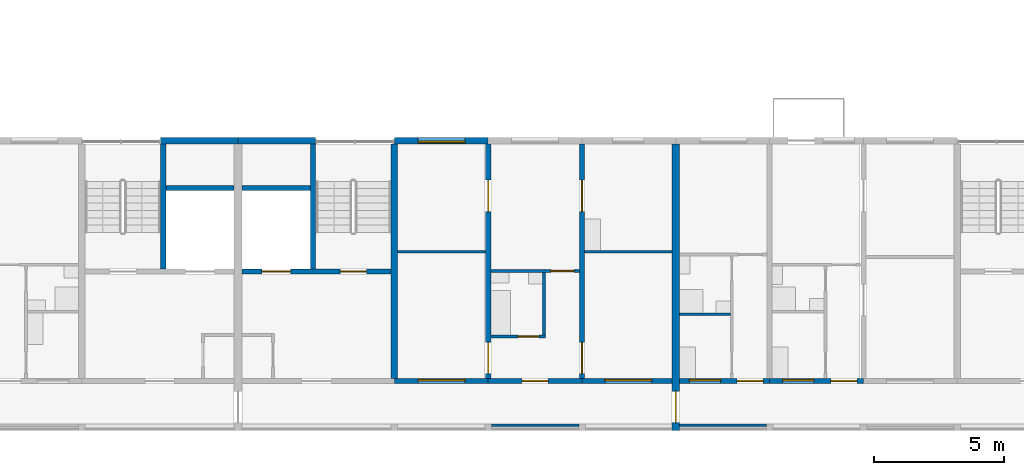
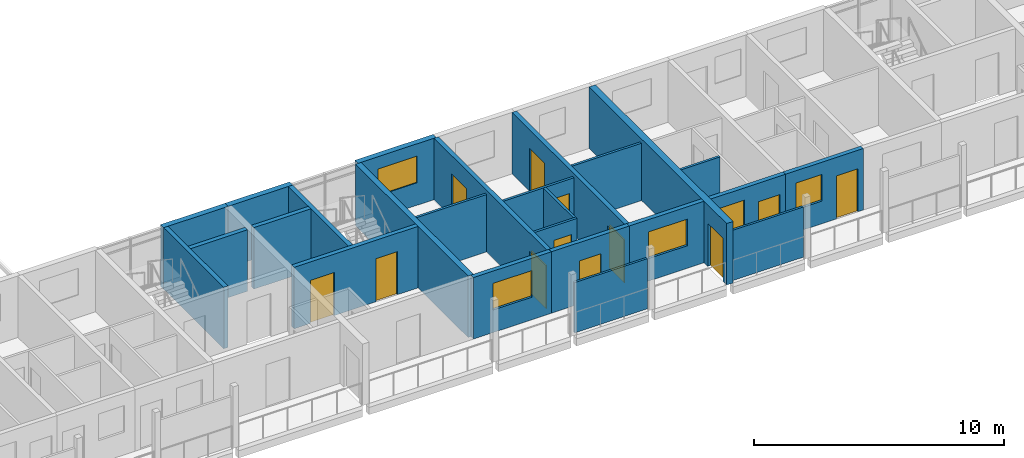
# One storey, part 46 of 93: 25 walls, 12 doors, 5 windows, 17 openings.
"""IFC4 building model written with IfcOpenShell, lengths in metres."""

from ifc_helpers import new_model, si_unit, direction, frame, frame_2d, origin, place, context, subcontext, project, spatial, rectangle, extrude, material, layer, layer_set, type_object, element, fill, save


model = new_model("IFC4")

# Units and contexts
model_context = context("Model", 3, precision=1e-05, world=origin(), true_north=direction((0.0, 1.0)))
body_context = subcontext(model_context, "Body", "Model", "MODEL_VIEW")
ifc_project = project(units=[si_unit("LENGTHUNIT", "METRE"), si_unit("AREAUNIT", "SQUARE_METRE"), si_unit("VOLUMEUNIT", "CUBIC_METRE"), si_unit("PLANEANGLEUNIT", "RADIAN"), si_unit("MASSUNIT", "GRAM", prefix="KILO")], contexts=[model_context])

# Site, building, storey
site_placement = place(None, origin())
site = spatial("IfcSite", under=ifc_project, at=site_placement, CompositionType="ELEMENT")
building_placement = place(site_placement, origin())
building = spatial("IfcBuilding", under=site, at=building_placement, Name="Ridgestep Commons", CompositionType="ELEMENT")
storey_placement = place(building_placement, frame((0.0, 0.0, 18.0)))
storey = spatial("IfcBuildingStorey", under=building, at=storey_placement, Name="L06", CompositionType="ELEMENT", Elevation=18.0)

# Walls
ifc_material_1 = material(Name="Concrete C30/37", Category="concrete")
ifc_layer_1 = layer(ifc_material_1, 0.25)
ifc_layer_set_1 = layer_set([ifc_layer_1], Name="Core cross wall 250")
wall_type_1 = type_object("IfcWallType", Name="Core cross wall 250", PredefinedType="SHEAR", material=ifc_layer_set_1)
wall_1_placement = place(storey_placement, frame((169.60009765625, 13.75, 0.0), z_axis=(0.0, 0.0, 1.0), x_axis=(0.0, 1.0, 0.0)))
element("IfcWall", 1, at=wall_1_placement, inside=storey, type_object=wall_type_1, Name="Cross wall D-06-1696", PredefinedType="SHEAR", context=body_context, shape_type="SweptSolid", body=[
    extrude(rectangle(XDim=9.0, YDim=0.25, at=frame_2d((4.5, 0.0))), origin(), (0.0, 0.0, 1.0), 3.0),
])
ifc_material_2 = material(Name="Concrete C30/37", Category="concrete")
ifc_layer_2 = layer(ifc_material_2, 0.199951171875)
ifc_layer_set_2 = layer_set([ifc_layer_2], Name="Core wall 200")
wall_type_2 = type_object("IfcWallType", Name="Core wall 200", PredefinedType="SHEAR", material=ifc_layer_set_2)
wall_2_placement = place(storey_placement, frame((160.72509765625, 17.949951171875, 0.0), z_axis=(0.0, 0.0, 1.0), x_axis=(0.0, 1.0, 0.0)))
element("IfcWall", 2, at=wall_2_placement, inside=storey, type_object=wall_type_2, Name="Core stair wall D1C L06", PredefinedType="SHEAR", context=body_context, shape_type="SweptSolid", body=[
    extrude(rectangle(XDim=4.800048828125, YDim=0.199951171875, at=frame_2d((2.39990234375, 0.0))), origin(), (0.0, 0.0, 1.0), 3.0),
])
wall_3_placement = place(storey_placement, frame((160.824951171875, 21.050048828125, 0.0), z_axis=(0.0, 0.0, 1.0), x_axis=(1.0, 0.0, 0.0)))
element("IfcWall", 3, at=wall_3_placement, inside=storey, type_object=wall_type_2, Name="Core duct wall D1C L06", PredefinedType="SHEAR", context=body_context, shape_type="SweptSolid", body=[
    extrude(rectangle(XDim=2.625, YDim=0.199951171875, at=frame_2d((1.3125, 0.0))), origin(), (0.0, 0.0, 1.0), 3.0),
])

# Wall, openings, doors
wall_4_placement = place(storey_placement, frame((163.75, 17.85009765625, 0.0), z_axis=(0.0, 0.0, 1.0), x_axis=(1.0, 0.0, 0.0)))
wall_4 = element("IfcWall", 4, at=wall_4_placement, inside=storey, type_object=wall_type_2, Name="Core lobby wall D2C L06", PredefinedType="SHEAR", context=body_context, shape_type="SweptSolid", body=[
    extrude(rectangle(XDim=5.72509765625, YDim=0.199951171875, at=frame_2d((2.862548828125, 0.0))), origin(), (0.0, 0.0, 1.0), 3.0),
])
opening_1_placement = place(wall_4_placement, frame((3.77490234375, 0.0, 0.0)))
opening_1 = element("IfcOpeningElement", 5, at=opening_1_placement, cuts=wall_4, Name="Opening D2C/06/2", PredefinedType="OPENING", context=body_context, shape_type="SweptSolid", body=[
    extrude(rectangle(XDim=1.0, YDim=2.10009765625, at=frame_2d((0.5, 1.050048828125))), frame((0.0, 0.10986328125, 0.0), z_axis=(0.0, -1.0, 0.0), x_axis=(1.0, 0.0, 0.0)), (0.0, 0.0, 1.0), 0.219970703125),
])
opening_2_placement = place(wall_4_placement, frame((0.762451171875, 0.0, 0.0)))
opening_2 = element("IfcOpeningElement", 6, at=opening_2_placement, cuts=wall_4, Name="Opening D2C/06/3", PredefinedType="OPENING", context=body_context, shape_type="SweptSolid", body=[
    extrude(rectangle(XDim=1.10009765625, YDim=2.10009765625, at=frame_2d((0.550048828125, 1.050048828125))), frame((0.0, 0.10986328125, 0.0), z_axis=(0.0, -1.0, 0.0), x_axis=(1.0, 0.0, 0.0)), (0.0, 0.0, 1.0), 0.219970703125),
])
ifc_material_3 = material(Name="Stainless steel", Category="steel")
door_type_1 = type_object("IfcDoorType", Name="Lift landing door 1100 x 2100 FD60", OperationType="DOUBLE_DOOR_SLIDING", PredefinedType="DOOR", material=ifc_material_3)
door_1_placement = place(opening_2_placement, origin())
door_1 = element("IfcDoor", 7, at=door_1_placement, inside=storey, type_object=door_type_1, Name="Landing door LD D2C L06", OperationType="DOUBLE_DOOR_SLIDING", OverallHeight=2.10009765625, OverallWidth=1.10009765625, PredefinedType="DOOR", context=body_context, shape_type="SweptSolid", body=[
    extrude(rectangle(XDim=1.10009765625, YDim=2.10009765625, at=frame_2d((0.550048828125, 1.050048828125))), frame((0.0, 0.02490234375, 0.0), z_axis=(0.0, -1.0, 0.0), x_axis=(1.0, 0.0, 0.0)), (0.0, 0.0, 1.0), 0.050048828125),
])
fill(opening_2, door_1)
ifc_material_4 = material(Name="Steel fire door", Category="steel")
door_type_2 = type_object("IfcDoorType", Name="Stair door 1000 x 2100 FD60", OperationType="NOTDEFINED", PredefinedType="DOOR", material=ifc_material_4)
door_2_placement = place(opening_1_placement, origin())
door_2 = element("IfcDoor", 8, at=door_2_placement, inside=storey, type_object=door_type_2, Name="Stair door D2C/06/2", OperationType="SINGLE_SWING_RIGHT", OverallHeight=2.10009765625, OverallWidth=1.0, PredefinedType="DOOR", context=body_context, shape_type="SweptSolid", body=[
    extrude(rectangle(XDim=1.0, YDim=2.10009765625, at=frame_2d((0.5, 1.050048828125))), frame((0.0, 0.02490234375, 0.0), z_axis=(0.0, -1.0, 0.0), x_axis=(1.0, 0.0, 0.0)), (0.0, 0.0, 1.0), 0.050048828125),
])
fill(opening_1, door_2)

# Walls
wall_5_placement = place(storey_placement, frame((166.47509765625, 17.949951171875, 0.0), z_axis=(0.0, 0.0, 1.0), x_axis=(0.0, 1.0, 0.0)))
element("IfcWall", 9, at=wall_5_placement, inside=storey, type_object=wall_type_2, Name="Core stair wall D2C L06", PredefinedType="SHEAR", context=body_context, shape_type="SweptSolid", body=[
    extrude(rectangle(XDim=4.800048828125, YDim=0.199951171875, at=frame_2d((2.39990234375, 0.0))), origin(), (0.0, 0.0, 1.0), 3.0),
])
wall_6_placement = place(storey_placement, frame((163.75, 21.050048828125, 0.0), z_axis=(0.0, 0.0, 1.0), x_axis=(1.0, 0.0, 0.0)))
element("IfcWall", 10, at=wall_6_placement, inside=storey, type_object=wall_type_2, Name="Core duct wall D2C L06", PredefinedType="SHEAR", context=body_context, shape_type="SweptSolid", body=[
    extrude(rectangle(XDim=2.625, YDim=0.199951171875, at=frame_2d((1.3125, 0.0))), origin(), (0.0, 0.0, 1.0), 3.0),
])

# Wall, openings, doors
ifc_material_5 = material(Name="Precast concrete C40/50", Category="concrete")
ifc_layer_3 = layer(ifc_material_5, 0.199951171875)
ifc_layer_set_3 = layer_set([ifc_layer_3], Name="Cross wall 200")
wall_type_3 = type_object("IfcWallType", Name="Cross wall 200", PredefinedType="SHEAR", material=ifc_layer_set_3)
wall_7_placement = place(storey_placement, frame((173.199951171875, 13.75, 0.0), z_axis=(0.0, 0.0, 1.0), x_axis=(0.0, 1.0, 0.0)))
wall_7 = element("IfcWall", 11, at=wall_7_placement, inside=storey, type_object=wall_type_3, Name="Cross wall D-06-1732", PredefinedType="SHEAR", context=body_context, shape_type="SweptSolid", body=[
    extrude(rectangle(XDim=9.0, YDim=0.199951171875, at=frame_2d((4.5, 0.0))), origin(), (0.0, 0.0, 1.0), 3.0),
])
opening_3_placement = place(wall_7_placement, frame((0.175048828125, 0.0, 0.0)))
opening_3 = element("IfcOpeningElement", 12, at=opening_3_placement, cuts=wall_7, Name="Opening D2-06a/4", PredefinedType="OPENING", context=body_context, shape_type="SweptSolid", body=[
    extrude(rectangle(XDim=1.199951171875, YDim=2.10009765625, at=frame_2d((0.60009765625, 1.050048828125))), frame((0.0, 0.10986328125, 0.0), z_axis=(0.0, -1.0, 0.0), x_axis=(1.0, 0.0, 0.0)), (0.0, 0.0, 1.0), 0.219970703125),
])
opening_4_placement = place(wall_7_placement, frame((6.39990234375, 0.0, 0.0)))
opening_4 = element("IfcOpeningElement", 13, at=opening_4_placement, cuts=wall_7, Name="Opening D2-06a/5", PredefinedType="OPENING", context=body_context, shape_type="SweptSolid", body=[
    extrude(rectangle(XDim=1.199951171875, YDim=2.10009765625, at=frame_2d((0.60009765625, 1.050048828125))), frame((0.0, 0.10986328125, 0.0), z_axis=(0.0, -1.0, 0.0), x_axis=(1.0, 0.0, 0.0)), (0.0, 0.0, 1.0), 0.219970703125),
])
ifc_material_6 = material(Name="Timber door leaf", Category="wood")
door_type_3 = type_object("IfcDoorType", Name="Double door 1200 x 2100", OperationType="DOUBLE_DOOR_SINGLE_SWING", PredefinedType="DOOR", material=ifc_material_6)
door_3_placement = place(opening_3_placement, origin())
door_3 = element("IfcDoor", 14, at=door_3_placement, inside=storey, type_object=door_type_3, Name="Double door D2-06a/4", OperationType="DOUBLE_DOOR_SINGLE_SWING", OverallHeight=2.10009765625, OverallWidth=1.199951171875, PredefinedType="DOOR", context=body_context, shape_type="SweptSolid", body=[
    extrude(rectangle(XDim=1.199951171875, YDim=2.10009765625, at=frame_2d((0.60009765625, 1.050048828125))), frame((0.0, 0.02490234375, 0.0), z_axis=(0.0, -1.0, 0.0), x_axis=(1.0, 0.0, 0.0)), (0.0, 0.0, 1.0), 0.050048828125),
])
fill(opening_3, door_3)
door_4_placement = place(opening_4_placement, origin())
door_4 = element("IfcDoor", 15, at=door_4_placement, inside=storey, type_object=door_type_3, Name="Double door D2-06a/5", OperationType="DOUBLE_DOOR_SINGLE_SWING", OverallHeight=2.10009765625, OverallWidth=1.199951171875, PredefinedType="DOOR", context=body_context, shape_type="SweptSolid", body=[
    extrude(rectangle(XDim=1.199951171875, YDim=2.10009765625, at=frame_2d((0.60009765625, 1.050048828125))), frame((0.0, 0.02490234375, 0.0), z_axis=(0.0, -1.0, 0.0), x_axis=(1.0, 0.0, 0.0)), (0.0, 0.0, 1.0), 0.050048828125),
])
fill(opening_4, door_4)

wall_8_placement = place(storey_placement, frame((176.800048828125, 13.75, 0.0), z_axis=(0.0, 0.0, 1.0), x_axis=(0.0, 1.0, 0.0)))
wall_8 = element("IfcWall", 16, at=wall_8_placement, inside=storey, type_object=wall_type_3, Name="Cross wall D-06-1768", PredefinedType="SHEAR", context=body_context, shape_type="SweptSolid", body=[
    extrude(rectangle(XDim=9.0, YDim=0.199951171875, at=frame_2d((4.5, 0.0))), origin(), (0.0, 0.0, 1.0), 3.0),
])
opening_5_placement = place(wall_8_placement, frame((0.175048828125, 0.0, 0.0)))
opening_5 = element("IfcOpeningElement", 17, at=opening_5_placement, cuts=wall_8, Name="Opening D2-06a/6", PredefinedType="OPENING", context=body_context, shape_type="SweptSolid", body=[
    extrude(rectangle(XDim=1.199951171875, YDim=2.10009765625, at=frame_2d((0.60009765625, 1.050048828125))), frame((0.0, 0.10986328125, 0.0), z_axis=(0.0, -1.0, 0.0), x_axis=(1.0, 0.0, 0.0)), (0.0, 0.0, 1.0), 0.219970703125),
])
opening_6_placement = place(wall_8_placement, frame((6.39990234375, 0.0, 0.0)))
opening_6 = element("IfcOpeningElement", 18, at=opening_6_placement, cuts=wall_8, Name="Opening D2-06a/7", PredefinedType="OPENING", context=body_context, shape_type="SweptSolid", body=[
    extrude(rectangle(XDim=1.199951171875, YDim=2.10009765625, at=frame_2d((0.60009765625, 1.050048828125))), frame((0.0, 0.10986328125, 0.0), z_axis=(0.0, -1.0, 0.0), x_axis=(1.0, 0.0, 0.0)), (0.0, 0.0, 1.0), 0.219970703125),
])
door_5_placement = place(opening_5_placement, origin())
door_5 = element("IfcDoor", 19, at=door_5_placement, inside=storey, type_object=door_type_3, Name="Double door D2-06a/6", OperationType="DOUBLE_DOOR_SINGLE_SWING", OverallHeight=2.10009765625, OverallWidth=1.199951171875, PredefinedType="DOOR", context=body_context, shape_type="SweptSolid", body=[
    extrude(rectangle(XDim=1.199951171875, YDim=2.10009765625, at=frame_2d((0.60009765625, 1.050048828125))), frame((0.0, 0.02490234375, 0.0), z_axis=(0.0, -1.0, 0.0), x_axis=(1.0, 0.0, 0.0)), (0.0, 0.0, 1.0), 0.050048828125),
])
fill(opening_5, door_5)
door_6_placement = place(opening_6_placement, origin())
door_6 = element("IfcDoor", 20, at=door_6_placement, inside=storey, type_object=door_type_3, Name="Double door D2-06a/7", OperationType="DOUBLE_DOOR_SINGLE_SWING", OverallHeight=2.10009765625, OverallWidth=1.199951171875, PredefinedType="DOOR", context=body_context, shape_type="SweptSolid", body=[
    extrude(rectangle(XDim=1.199951171875, YDim=2.10009765625, at=frame_2d((0.60009765625, 1.050048828125))), frame((0.0, 0.02490234375, 0.0), z_axis=(0.0, -1.0, 0.0), x_axis=(1.0, 0.0, 0.0)), (0.0, 0.0, 1.0), 0.050048828125),
])
fill(opening_6, door_6)

# Wall, opening, door
ifc_material_7 = material(Name="Precast concrete C40/50", Category="concrete")
ifc_layer_4 = layer(ifc_material_7, 0.300048828125)
ifc_layer_set_4 = layer_set([ifc_layer_4], Name="Division wall 300")
wall_type_4 = type_object("IfcWallType", Name="Division wall 300", PredefinedType="SHEAR", material=ifc_layer_set_4)
wall_9_placement = place(storey_placement, frame((180.39990234375, 11.75, 0.0), z_axis=(0.0, 0.0, 1.0), x_axis=(0.0, 1.0, 0.0)))
wall_9 = element("IfcWall", 21, at=wall_9_placement, inside=storey, type_object=wall_type_4, Name="Cross wall D-06-1804", PredefinedType="SHEAR", context=body_context, shape_type="SweptSolid", body=[
    extrude(rectangle(XDim=11.0, YDim=0.300048828125, at=frame_2d((5.5, 0.0))), origin(), (0.0, 0.0, 1.0), 3.0),
])
opening_7_placement = place(wall_9_placement, frame((0.300048828125, 0.0, 0.0)))
opening_7 = element("IfcOpeningElement", 22, at=opening_7_placement, cuts=wall_9, Name="Opening D/06/G1804", PredefinedType="OPENING", context=body_context, shape_type="SweptSolid", body=[
    extrude(rectangle(XDim=1.199951171875, YDim=2.10009765625, at=frame_2d((0.60009765625, 1.050048828125))), frame((0.0, 0.159912109375, 0.0), z_axis=(0.0, -1.0, 0.0), x_axis=(1.0, 0.0, 0.0)), (0.0, 0.0, 1.0), 0.320068359375),
])
ifc_material_8 = material(Name="Steel fire door", Category="steel")
door_type_4 = type_object("IfcDoorType", Name="Division fire door 1200 x 2100 EI 240", OperationType="DOUBLE_DOOR_SINGLE_SWING", PredefinedType="DOOR", material=ifc_material_8)
door_7_placement = place(opening_7_placement, origin())
door_7 = element("IfcDoor", 23, at=door_7_placement, inside=storey, type_object=door_type_4, Name="Division fire door D/06/G1804", OperationType="DOUBLE_DOOR_SINGLE_SWING", OverallHeight=2.10009765625, OverallWidth=1.199951171875, PredefinedType="DOOR", context=body_context, shape_type="SweptSolid", body=[
    extrude(rectangle(XDim=1.199951171875, YDim=2.10009765625, at=frame_2d((0.60009765625, 1.050048828125))), frame((0.0, 0.02490234375, 0.0), z_axis=(0.0, -1.0, 0.0), x_axis=(1.0, 0.0, 0.0)), (0.0, 0.0, 1.0), 0.050048828125),
])
fill(opening_7, door_7)

# Walls
ifc_material_9 = material(Name="Precast concrete C40/50", Category="concrete")
ifc_layer_5 = layer(ifc_material_9, 0.25)
ifc_layer_set_5 = layer_set([ifc_layer_5], Name="North facade panel 250")
wall_type_5 = type_object("IfcWallType", Name="North facade panel 250", PredefinedType="SOLIDWALL", material=ifc_layer_set_5)
wall_10_placement = place(storey_placement, frame((160.625, 22.875, 0.0), z_axis=(0.0, 0.0, 1.0), x_axis=(1.0, 0.0, 0.0)))
element("IfcWall", 24, at=wall_10_placement, inside=storey, type_object=wall_type_5, Name="North panel D1C L06", PredefinedType="SOLIDWALL", context=body_context, shape_type="SweptSolid", body=[
    extrude(rectangle(XDim=2.97509765625, YDim=0.25, at=frame_2d((1.487548828125, 0.0))), origin(), (0.0, 0.0, 1.0), 3.0),
])
wall_11_placement = place(storey_placement, frame((163.60009765625, 22.875, 0.0), z_axis=(0.0, 0.0, 1.0), x_axis=(1.0, 0.0, 0.0)))
element("IfcWall", 25, at=wall_11_placement, inside=storey, type_object=wall_type_5, Name="North panel D2C L06", PredefinedType="SOLIDWALL", context=body_context, shape_type="SweptSolid", body=[
    extrude(rectangle(XDim=2.974853515625, YDim=0.25, at=frame_2d((1.4873046875, 0.0))), origin(), (0.0, 0.0, 1.0), 3.0),
])

# Wall, opening, window
wall_12_placement = place(storey_placement, frame((169.60009765625, 22.875, 0.0), z_axis=(0.0, 0.0, 1.0), x_axis=(1.0, 0.0, 0.0)))
wall_12 = element("IfcWall", 26, at=wall_12_placement, inside=storey, type_object=wall_type_5, Name="North panel D2T3 L06", PredefinedType="SOLIDWALL", context=body_context, shape_type="SweptSolid", body=[
    extrude(rectangle(XDim=3.599853515625, YDim=0.25, at=frame_2d((1.7998046875, 0.0))), origin(), (0.0, 0.0, 1.0), 3.0),
])
opening_8_placement = place(wall_12_placement, frame((0.91259765625, 0.0, 1.10009765625)))
opening_8 = element("IfcOpeningElement", 27, at=opening_8_placement, cuts=wall_12, Name="Opening W18", PredefinedType="OPENING", context=body_context, shape_type="SweptSolid", body=[
    extrude(rectangle(XDim=1.800048828125, YDim=1.300048828125, at=frame_2d((0.89990234375, 0.64990234375))), frame((0.0, 0.135009765625, 0.0), z_axis=(0.0, -1.0, 0.0), x_axis=(1.0, 0.0, 0.0)), (0.0, 0.0, 1.0), 0.27001953125),
])
ifc_material_10 = material(Name="Aluminium 6063-T6 and glass", Category="aluminium")
window_type_1 = type_object("IfcWindowType", Name="Flat window 1800 x 1300", PartitioningType="DOUBLE_PANEL_VERTICAL", PredefinedType="WINDOW", material=ifc_material_10)
window_1_placement = place(opening_8_placement, origin())
window_1 = element("IfcWindow", 28, at=window_1_placement, inside=storey, type_object=window_type_1, Name="Window D2-06a 2", OverallHeight=1.300048828125, OverallWidth=1.800048828125, PartitioningType="SINGLE_PANEL", PredefinedType="WINDOW", context=body_context, shape_type="SweptSolid", body=[
    extrude(rectangle(XDim=1.800048828125, YDim=1.300048828125, at=frame_2d((0.89990234375, 0.64990234375))), frame((0.0, -0.02490234375, 0.0), z_axis=(0.0, -1.0, 0.0), x_axis=(1.0, 0.0, 0.0)), (0.0, 0.0, 1.0), 0.06005859375),
])
fill(opening_8, window_1)

# Wall, opening, door
ifc_material_11 = material(Name="Common brick 110 mm", Category="masonry")
ifc_layer_6 = layer(ifc_material_11, 0.110107421875)
ifc_layer_set_6 = layer_set([ifc_layer_6], Name="Partition 110")
wall_type_6 = type_object("IfcWallType", Name="Partition 110", PredefinedType="PARTITIONING", material=ifc_layer_set_6)
wall_13_placement = place(storey_placement, frame((173.300048828125, 15.35498046875, 0.0), z_axis=(0.0, 0.0, 1.0), x_axis=(1.0, 0.0, 0.0)))
wall_13 = element("IfcWall", 29, at=wall_13_placement, inside=storey, type_object=wall_type_6, Name="Partition D2-06a", PredefinedType="PARTITIONING", context=body_context, shape_type="SweptSolid", body=[
    extrude(rectangle(XDim=2.099853515625, YDim=0.110107421875, at=frame_2d((1.0498046875, 0.0))), origin(), (0.0, 0.0, 1.0), 2.800048828125),
])
opening_9_placement = place(wall_13_placement, frame((1.0400390625, 0.0, 0.0)))
opening_9 = element("IfcOpeningElement", 30, at=opening_9_placement, cuts=wall_13, Name="Opening D2-06a/2", PredefinedType="OPENING", context=body_context, shape_type="SweptSolid", body=[
    extrude(rectangle(XDim=0.800048828125, YDim=2.10009765625, at=frame_2d((0.39990234375, 1.050048828125))), frame((0.0, 0.06494140625, 0.0), z_axis=(0.0, -1.0, 0.0), x_axis=(1.0, 0.0, 0.0)), (0.0, 0.0, 1.0), 0.130126953125),
])
ifc_material_12 = material(Name="Timber door leaf", Category="wood")
door_type_5 = type_object("IfcDoorType", Name="Internal door 800 x 2100", OperationType="NOTDEFINED", PredefinedType="DOOR", material=ifc_material_12)
door_8_placement = place(opening_9_placement, origin())
door_8 = element("IfcDoor", 31, at=door_8_placement, inside=storey, type_object=door_type_5, Name="Internal door D2-06a/2", OperationType="SINGLE_SWING_RIGHT", OverallHeight=2.10009765625, OverallWidth=0.800048828125, PredefinedType="DOOR", context=body_context, shape_type="SweptSolid", body=[
    extrude(rectangle(XDim=0.800048828125, YDim=2.10009765625, at=frame_2d((0.39990234375, 1.050048828125))), frame((0.0, 0.02490234375, 0.0), z_axis=(0.0, -1.0, 0.0), x_axis=(1.0, 0.0, 0.0)), (0.0, 0.0, 1.0), 0.050048828125),
])
fill(opening_9, door_8)

# Wall
wall_14_placement = place(storey_placement, frame((175.344970703125, 15.409912109375, 0.0), z_axis=(0.0, 0.0, 1.0), x_axis=(0.0, 1.0, 0.0)))
element("IfcWall", 32, at=wall_14_placement, inside=storey, type_object=wall_type_6, Name="Partition D2-06a", PredefinedType="PARTITIONING", context=body_context, shape_type="SweptSolid", body=[
    extrude(rectangle(XDim=2.400146484375, YDim=0.110107421875, at=frame_2d((1.2001953125, 0.0))), origin(), (0.0, 0.0, 1.0), 2.800048828125),
])

# Wall, opening, door
wall_15_placement = place(storey_placement, frame((173.300048828125, 17.864990234375, 0.0), z_axis=(0.0, 0.0, 1.0), x_axis=(1.0, 0.0, 0.0)))
wall_15 = element("IfcWall", 33, at=wall_15_placement, inside=storey, type_object=wall_type_6, Name="Partition D2-06a", PredefinedType="PARTITIONING", context=body_context, shape_type="SweptSolid", body=[
    extrude(rectangle(XDim=3.39990234375, YDim=0.110107421875, at=frame_2d((1.699951171875, 0.0))), origin(), (0.0, 0.0, 1.0), 2.800048828125),
])
opening_10_placement = place(wall_15_placement, frame((2.300048828125, 0.0, 0.0)))
opening_10 = element("IfcOpeningElement", 34, at=opening_10_placement, cuts=wall_15, Name="Opening D2-06a/3", PredefinedType="OPENING", context=body_context, shape_type="SweptSolid", body=[
    extrude(rectangle(XDim=0.89990234375, YDim=2.10009765625, at=frame_2d((0.449951171875, 1.050048828125))), frame((0.0, 0.06494140625, 0.0), z_axis=(0.0, -1.0, 0.0), x_axis=(1.0, 0.0, 0.0)), (0.0, 0.0, 1.0), 0.130126953125),
])
ifc_material_13 = material(Name="Timber door leaf", Category="wood")
door_type_6 = type_object("IfcDoorType", Name="Internal door 900 x 2100", OperationType="NOTDEFINED", PredefinedType="DOOR", material=ifc_material_13)
door_9_placement = place(opening_10_placement, origin())
door_9 = element("IfcDoor", 35, at=door_9_placement, inside=storey, type_object=door_type_6, Name="Internal door D2-06a/3", OperationType="SINGLE_SWING_LEFT", OverallHeight=2.10009765625, OverallWidth=0.89990234375, PredefinedType="DOOR", context=body_context, shape_type="SweptSolid", body=[
    extrude(rectangle(XDim=0.89990234375, YDim=2.10009765625, at=frame_2d((0.449951171875, 1.050048828125))), frame((0.0, 0.02490234375, 0.0), z_axis=(0.0, -1.0, 0.0), x_axis=(1.0, 0.0, 0.0)), (0.0, 0.0, 1.0), 0.050048828125),
])
fill(opening_10, door_9)

# Walls
wall_16_placement = place(storey_placement, frame((169.72509765625, 18.60498046875, 0.0), z_axis=(0.0, 0.0, 1.0), x_axis=(1.0, 0.0, 0.0)))
element("IfcWall", 36, at=wall_16_placement, inside=storey, type_object=wall_type_6, Name="Partition D2-06a", PredefinedType="PARTITIONING", context=body_context, shape_type="SweptSolid", body=[
    extrude(rectangle(XDim=3.375, YDim=0.110107421875, at=frame_2d((1.6875, 0.0))), origin(), (0.0, 0.0, 1.0), 2.800048828125),
])
wall_17_placement = place(storey_placement, frame((176.89990234375, 18.60498046875, 0.0), z_axis=(0.0, 0.0, 1.0), x_axis=(1.0, 0.0, 0.0)))
element("IfcWall", 37, at=wall_17_placement, inside=storey, type_object=wall_type_6, Name="Partition D2-06a", PredefinedType="PARTITIONING", context=body_context, shape_type="SweptSolid", body=[
    extrude(rectangle(XDim=3.35009765625, YDim=0.110107421875, at=frame_2d((1.675048828125, 0.0))), origin(), (0.0, 0.0, 1.0), 2.800048828125),
])
wall_18_placement = place(storey_placement, frame((180.550048828125, 16.205078125, 0.0), z_axis=(0.0, 0.0, 1.0), x_axis=(1.0, 0.0, 0.0)))
element("IfcWall", 38, at=wall_18_placement, inside=storey, type_object=wall_type_6, Name="Partition D3-06a", PredefinedType="PARTITIONING", context=body_context, shape_type="SweptSolid", body=[
    extrude(rectangle(XDim=1.93994140625, YDim=0.110107421875, at=frame_2d((0.969970703125, 0.0))), origin(), (0.0, 0.0, 1.0), 2.800048828125),
])
ifc_material_14 = material(Name="Precast concrete C30/37", Category="concrete")
ifc_layer_7 = layer(ifc_material_14, 0.10009765625)
ifc_layer_set_7 = layer_set([ifc_layer_7], Name="Perforated gallery screen 3325 x 2450 x 100")
wall_type_7 = type_object("IfcWallType", Name="Perforated gallery screen 3325 x 2450 x 100", PredefinedType="SOLIDWALL", material=ifc_layer_set_7)
wall_19_placement = place(storey_placement, frame((180.550048828125, 11.949951171875, 0.0), z_axis=(0.0, 0.0, 1.0), x_axis=(1.0, 0.0, 0.0)))
element("IfcWall", 39, at=wall_19_placement, inside=storey, type_object=wall_type_7, Name="Gallery screen D3T1 06", PredefinedType="SOLIDWALL", context=body_context, shape_type="SweptSolid", body=[
    extrude(rectangle(XDim=3.324951171875, YDim=0.10009765625, at=frame_2d((1.66259765625, 0.0))), origin(), (0.0, 0.0, 1.0), 2.449951171875),
])
ifc_material_15 = material(Name="Precast concrete C30/37", Category="concrete")
ifc_layer_8 = layer(ifc_material_15, 0.10009765625)
ifc_layer_set_8 = layer_set([ifc_layer_8], Name="Perforated gallery screen 3350 x 2450 x 100")
wall_type_8 = type_object("IfcWallType", Name="Perforated gallery screen 3350 x 2450 x 100", PredefinedType="SOLIDWALL", material=ifc_layer_set_8)
wall_20_placement = place(storey_placement, frame((173.324951171875, 11.949951171875, 0.0), z_axis=(0.0, 0.0, 1.0), x_axis=(1.0, 0.0, 0.0)))
element("IfcWall", 40, at=wall_20_placement, inside=storey, type_object=wall_type_8, Name="Gallery screen D2T2 06", PredefinedType="SOLIDWALL", context=body_context, shape_type="SweptSolid", body=[
    extrude(rectangle(XDim=3.35009765625, YDim=0.10009765625, at=frame_2d((1.675048828125, 0.0))), origin(), (0.0, 0.0, 1.0), 2.449951171875),
])

# Wall, opening, window
ifc_material_16 = material(Name="Precast concrete C40/50", Category="concrete")
ifc_layer_9 = layer(ifc_material_16, 0.199951171875)
ifc_layer_set_9 = layer_set([ifc_layer_9], Name="South facade panel 200")
wall_type_9 = type_object("IfcWallType", Name="South facade panel 200", PredefinedType="SOLIDWALL", material=ifc_layer_set_9)
wall_21_placement = place(storey_placement, frame((169.60009765625, 13.64990234375, 0.0), z_axis=(0.0, 0.0, 1.0), x_axis=(1.0, 0.0, 0.0)))
wall_21 = element("IfcWall", 41, at=wall_21_placement, inside=storey, type_object=wall_type_9, Name="South panel D2T3 L06", PredefinedType="SOLIDWALL", context=body_context, shape_type="SweptSolid", body=[
    extrude(rectangle(XDim=3.599853515625, YDim=0.199951171875, at=frame_2d((1.7998046875, 0.0))), origin(), (0.0, 0.0, 1.0), 3.0),
])
opening_11_placement = place(wall_21_placement, frame((0.91259765625, 0.0, 1.10009765625)))
opening_11 = element("IfcOpeningElement", 42, at=opening_11_placement, cuts=wall_21, Name="Opening W18", PredefinedType="OPENING", context=body_context, shape_type="SweptSolid", body=[
    extrude(rectangle(XDim=1.800048828125, YDim=1.300048828125, at=frame_2d((0.89990234375, 0.64990234375))), frame((0.0, 0.10986328125, 0.0), z_axis=(0.0, -1.0, 0.0), x_axis=(1.0, 0.0, 0.0)), (0.0, 0.0, 1.0), 0.219970703125),
])
window_2_placement = place(opening_11_placement, origin())
window_2 = element("IfcWindow", 43, at=window_2_placement, inside=storey, type_object=window_type_1, Name="Window D2-06a 1", OverallHeight=1.300048828125, OverallWidth=1.800048828125, PartitioningType="SINGLE_PANEL", PredefinedType="WINDOW", context=body_context, shape_type="SweptSolid", body=[
    extrude(rectangle(XDim=1.800048828125, YDim=1.300048828125, at=frame_2d((0.89990234375, 0.64990234375))), frame((0.0, 0.06005859375, 0.0), z_axis=(0.0, -1.0, 0.0), x_axis=(1.0, 0.0, 0.0)), (0.0, 0.0, 1.0), 0.06005859375),
])
fill(opening_11, window_2)

# Wall, opening, door
wall_22_placement = place(storey_placement, frame((173.199951171875, 13.64990234375, 0.0), z_axis=(0.0, 0.0, 1.0), x_axis=(1.0, 0.0, 0.0)))
wall_22 = element("IfcWall", 44, at=wall_22_placement, inside=storey, type_object=wall_type_9, Name="South panel D2T2 L06", PredefinedType="SOLIDWALL", context=body_context, shape_type="SweptSolid", body=[
    extrude(rectangle(XDim=3.60009765625, YDim=0.199951171875, at=frame_2d((1.800048828125, 0.0))), origin(), (0.0, 0.0, 1.0), 3.0),
])
opening_12_placement = place(wall_22_placement, frame((1.300048828125, 0.0, 0.0)))
opening_12 = element("IfcOpeningElement", 45, at=opening_12_placement, cuts=wall_22, Name="Opening D2-06a/1", PredefinedType="OPENING", context=body_context, shape_type="SweptSolid", body=[
    extrude(rectangle(XDim=1.0, YDim=2.10009765625, at=frame_2d((0.5, 1.050048828125))), frame((0.0, 0.10986328125, 0.0), z_axis=(0.0, -1.0, 0.0), x_axis=(1.0, 0.0, 0.0)), (0.0, 0.0, 1.0), 0.219970703125),
])
ifc_material_17 = material(Name="Timber door leaf", Category="wood")
door_type_7 = type_object("IfcDoorType", Name="Flat entrance door 1000 x 2100 FD30S", OperationType="NOTDEFINED", PredefinedType="DOOR", material=ifc_material_17)
door_10_placement = place(opening_12_placement, origin())
door_10 = element("IfcDoor", 46, at=door_10_placement, inside=storey, type_object=door_type_7, Name="Flat entrance door D2-06a/1", OperationType="SINGLE_SWING_RIGHT", OverallHeight=2.10009765625, OverallWidth=1.0, PredefinedType="DOOR", context=body_context, shape_type="SweptSolid", body=[
    extrude(rectangle(XDim=1.0, YDim=2.10009765625, at=frame_2d((0.5, 1.050048828125))), frame((0.0, 0.02490234375, 0.0), z_axis=(0.0, -1.0, 0.0), x_axis=(1.0, 0.0, 0.0)), (0.0, 0.0, 1.0), 0.050048828125),
])
fill(opening_12, door_10)

# Wall, opening, window
wall_23_placement = place(storey_placement, frame((176.800048828125, 13.64990234375, 0.0), z_axis=(0.0, 0.0, 1.0), x_axis=(1.0, 0.0, 0.0)))
wall_23 = element("IfcWall", 47, at=wall_23_placement, inside=storey, type_object=wall_type_9, Name="South panel D2T1 L06", PredefinedType="SOLIDWALL", context=body_context, shape_type="SweptSolid", body=[
    extrude(rectangle(XDim=3.449951171875, YDim=0.199951171875, at=frame_2d((1.72509765625, 0.0))), origin(), (0.0, 0.0, 1.0), 3.0),
])
opening_13_placement = place(wall_23_placement, frame((0.875, 0.0, 1.10009765625)))
opening_13 = element("IfcOpeningElement", 48, at=opening_13_placement, cuts=wall_23, Name="Opening W18", PredefinedType="OPENING", context=body_context, shape_type="SweptSolid", body=[
    extrude(rectangle(XDim=1.800048828125, YDim=1.300048828125, at=frame_2d((0.89990234375, 0.64990234375))), frame((0.0, 0.10986328125, 0.0), z_axis=(0.0, -1.0, 0.0), x_axis=(1.0, 0.0, 0.0)), (0.0, 0.0, 1.0), 0.219970703125),
])
window_3_placement = place(opening_13_placement, origin())
window_3 = element("IfcWindow", 49, at=window_3_placement, inside=storey, type_object=window_type_1, Name="Window D2-06a 3", OverallHeight=1.300048828125, OverallWidth=1.800048828125, PartitioningType="SINGLE_PANEL", PredefinedType="WINDOW", context=body_context, shape_type="SweptSolid", body=[
    extrude(rectangle(XDim=1.800048828125, YDim=1.300048828125, at=frame_2d((0.89990234375, 0.64990234375))), frame((0.0, 0.06005859375, 0.0), z_axis=(0.0, -1.0, 0.0), x_axis=(1.0, 0.0, 0.0)), (0.0, 0.0, 1.0), 0.06005859375),
])
fill(opening_13, window_3)

# Wall, openings, door, window
wall_24_placement = place(storey_placement, frame((180.550048828125, 13.64990234375, 0.0), z_axis=(0.0, 0.0, 1.0), x_axis=(1.0, 0.0, 0.0)))
wall_24 = element("IfcWall", 50, at=wall_24_placement, inside=storey, type_object=wall_type_9, Name="South panel D3T1 L06", PredefinedType="SOLIDWALL", context=body_context, shape_type="SweptSolid", body=[
    extrude(rectangle(XDim=3.449951171875, YDim=0.199951171875, at=frame_2d((1.72509765625, 0.0))), origin(), (0.0, 0.0, 1.0), 3.0),
])
opening_14_placement = place(wall_24_placement, frame((0.3701171875, 0.0, 1.10009765625)))
opening_14 = element("IfcOpeningElement", 51, at=opening_14_placement, cuts=wall_24, Name="Opening W08", PredefinedType="OPENING", context=body_context, shape_type="SweptSolid", body=[
    extrude(rectangle(XDim=1.199951171875, YDim=1.300048828125, at=frame_2d((0.60009765625, 0.64990234375))), frame((0.0, 0.10986328125, 0.0), z_axis=(0.0, -1.0, 0.0), x_axis=(1.0, 0.0, 0.0)), (0.0, 0.0, 1.0), 0.219970703125),
])
opening_15_placement = place(wall_24_placement, frame((2.199951171875, 0.0, 0.0)))
opening_15 = element("IfcOpeningElement", 52, at=opening_15_placement, cuts=wall_24, Name="Opening D3-06a/1", PredefinedType="OPENING", context=body_context, shape_type="SweptSolid", body=[
    extrude(rectangle(XDim=1.0, YDim=2.10009765625, at=frame_2d((0.5, 1.050048828125))), frame((0.0, 0.10986328125, 0.0), z_axis=(0.0, -1.0, 0.0), x_axis=(1.0, 0.0, 0.0)), (0.0, 0.0, 1.0), 0.219970703125),
])
door_11_placement = place(opening_15_placement, origin())
door_11 = element("IfcDoor", 53, at=door_11_placement, inside=storey, type_object=door_type_7, Name="Flat entrance door D3-06a/1", OperationType="SINGLE_SWING_RIGHT", OverallHeight=2.10009765625, OverallWidth=1.0, PredefinedType="DOOR", context=body_context, shape_type="SweptSolid", body=[
    extrude(rectangle(XDim=1.0, YDim=2.10009765625, at=frame_2d((0.5, 1.050048828125))), frame((0.0, 0.02490234375, 0.0), z_axis=(0.0, -1.0, 0.0), x_axis=(1.0, 0.0, 0.0)), (0.0, 0.0, 1.0), 0.050048828125),
])
fill(opening_15, door_11)
ifc_material_18 = material(Name="Aluminium 6063-T6 and glass", Category="aluminium")
window_type_2 = type_object("IfcWindowType", Name="Flat window 1200 x 1300", PartitioningType="SINGLE_PANEL", PredefinedType="WINDOW", material=ifc_material_18)
window_4_placement = place(opening_14_placement, origin())
window_4 = element("IfcWindow", 54, at=window_4_placement, inside=storey, type_object=window_type_2, Name="Window D3-06a 1", OverallHeight=1.300048828125, OverallWidth=1.199951171875, PartitioningType="SINGLE_PANEL", PredefinedType="WINDOW", context=body_context, shape_type="SweptSolid", body=[
    extrude(rectangle(XDim=1.199951171875, YDim=1.300048828125, at=frame_2d((0.60009765625, 0.64990234375))), frame((0.0, 0.06005859375, 0.0), z_axis=(0.0, -1.0, 0.0), x_axis=(1.0, 0.0, 0.0)), (0.0, 0.0, 1.0), 0.06005859375),
])
fill(opening_14, window_4)

wall_25_placement = place(storey_placement, frame((184.0, 13.64990234375, 0.0), z_axis=(0.0, 0.0, 1.0), x_axis=(1.0, 0.0, 0.0)))
wall_25 = element("IfcWall", 55, at=wall_25_placement, inside=storey, type_object=wall_type_9, Name="South panel D3T2 L06", PredefinedType="SOLIDWALL", context=body_context, shape_type="SweptSolid", body=[
    extrude(rectangle(XDim=3.60009765625, YDim=0.199951171875, at=frame_2d((1.800048828125, 0.0))), origin(), (0.0, 0.0, 1.0), 3.0),
])
opening_16_placement = place(wall_25_placement, frame((0.4951171875, 0.0, 1.10009765625)))
opening_16 = element("IfcOpeningElement", 56, at=opening_16_placement, cuts=wall_25, Name="Opening W08", PredefinedType="OPENING", context=body_context, shape_type="SweptSolid", body=[
    extrude(rectangle(XDim=1.199951171875, YDim=1.300048828125, at=frame_2d((0.60009765625, 0.64990234375))), frame((0.0, 0.10986328125, 0.0), z_axis=(0.0, -1.0, 0.0), x_axis=(1.0, 0.0, 0.0)), (0.0, 0.0, 1.0), 0.219970703125),
])
opening_17_placement = place(wall_25_placement, frame((2.35009765625, 0.0, 0.0)))
opening_17 = element("IfcOpeningElement", 57, at=opening_17_placement, cuts=wall_25, Name="Opening D3-06b/1", PredefinedType="OPENING", context=body_context, shape_type="SweptSolid", body=[
    extrude(rectangle(XDim=1.0, YDim=2.10009765625, at=frame_2d((0.5, 1.050048828125))), frame((0.0, 0.10986328125, 0.0), z_axis=(0.0, -1.0, 0.0), x_axis=(1.0, 0.0, 0.0)), (0.0, 0.0, 1.0), 0.219970703125),
])
door_12_placement = place(opening_17_placement, origin())
door_12 = element("IfcDoor", 58, at=door_12_placement, inside=storey, type_object=door_type_7, Name="Flat entrance door D3-06b/1", OperationType="SINGLE_SWING_RIGHT", OverallHeight=2.10009765625, OverallWidth=1.0, PredefinedType="DOOR", context=body_context, shape_type="SweptSolid", body=[
    extrude(rectangle(XDim=1.0, YDim=2.10009765625, at=frame_2d((0.5, 1.050048828125))), frame((0.0, 0.02490234375, 0.0), z_axis=(0.0, -1.0, 0.0), x_axis=(1.0, 0.0, 0.0)), (0.0, 0.0, 1.0), 0.050048828125),
])
fill(opening_17, door_12)
window_5_placement = place(opening_16_placement, origin())
window_5 = element("IfcWindow", 59, at=window_5_placement, inside=storey, type_object=window_type_2, Name="Window D3-06b 3", OverallHeight=1.300048828125, OverallWidth=1.199951171875, PartitioningType="SINGLE_PANEL", PredefinedType="WINDOW", context=body_context, shape_type="SweptSolid", body=[
    extrude(rectangle(XDim=1.199951171875, YDim=1.300048828125, at=frame_2d((0.60009765625, 0.64990234375))), frame((0.0, 0.06005859375, 0.0), z_axis=(0.0, -1.0, 0.0), x_axis=(1.0, 0.0, 0.0)), (0.0, 0.0, 1.0), 0.06005859375),
])
fill(opening_16, window_5)

save(model, "model.ifc")
